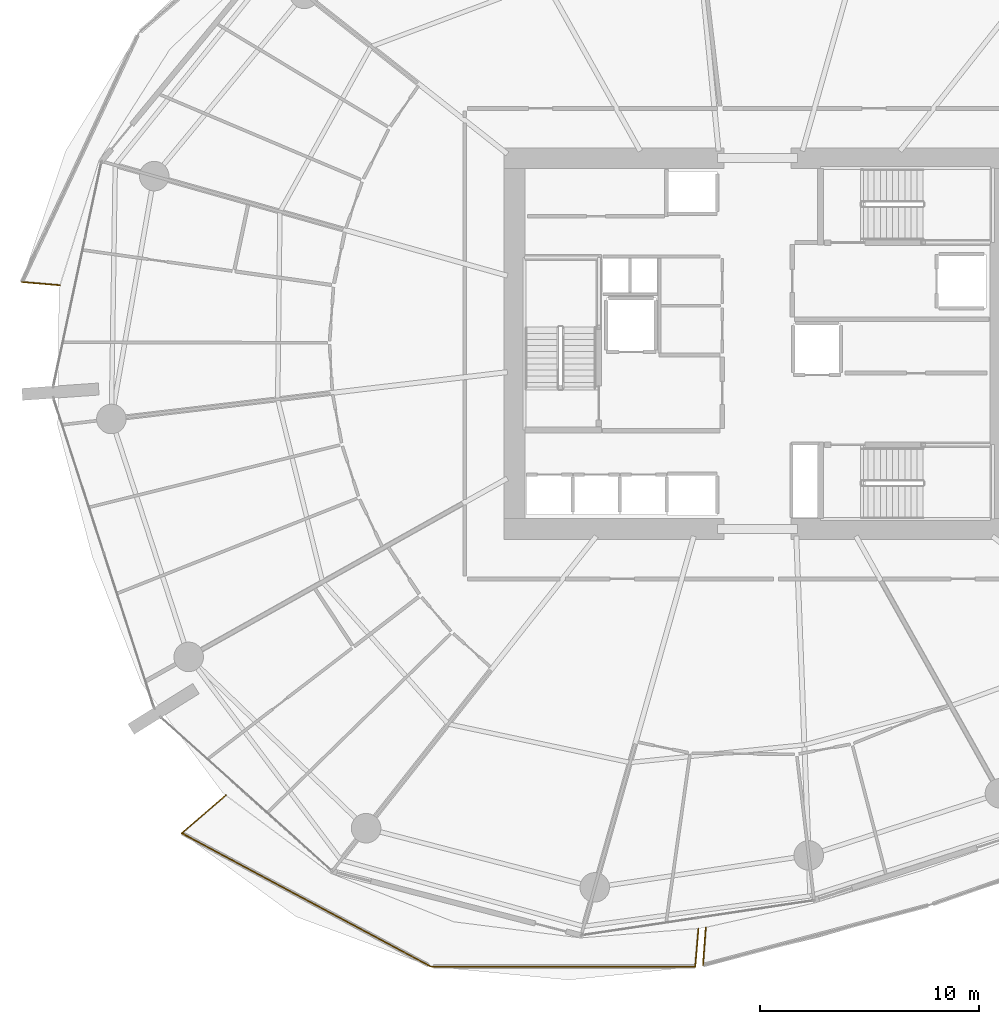
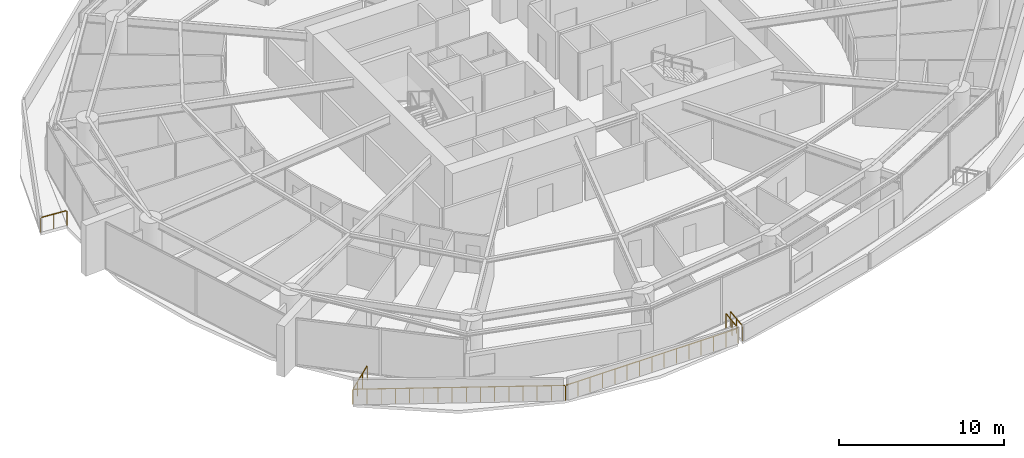
# One storey, part 25 of 31: 6 railings.
"""IFC4 building model written with IfcOpenShell, lengths in metres."""

from ifc_helpers import new_model, si_unit, direction, frame, origin, origin_2d, place, context, subcontext, project, spatial, rectangle, extrude, material, type_object, element, save


model = new_model("IFC4")

# Units and contexts
model_context = context("Model", 3, precision=1e-05, world=origin(), true_north=direction((0.0, 1.0)))
body_context = subcontext(model_context, "Body", "Model", "MODEL_VIEW")
ifc_project = project(units=[si_unit("LENGTHUNIT", "METRE"), si_unit("AREAUNIT", "SQUARE_METRE"), si_unit("VOLUMEUNIT", "CUBIC_METRE"), si_unit("PLANEANGLEUNIT", "RADIAN"), si_unit("MASSUNIT", "GRAM", prefix="KILO")], contexts=[model_context])

# Site, building, storey
site_placement = place(None, origin())
site = spatial("IfcSite", under=ifc_project, at=site_placement, CompositionType="ELEMENT")
building_placement = place(site_placement, origin())
building = spatial("IfcBuilding", under=site, at=building_placement, Name="Kazma Halo Residences", CompositionType="ELEMENT")
storey_placement = place(building_placement, frame((0.0, 0.0, 60.14990234375)))
storey = spatial("IfcBuildingStorey", under=building, at=storey_placement, Name="L14", CompositionType="ELEMENT", Elevation=60.14990234375)

# Railings
ifc_material = material(Name="Aluminium AW-6063 T6 Brushed Cap Rail", Category="aluminium")
railing_type = type_object("IfcRailingType", Name="RLG-BAL-CAP-1120", PredefinedType="BALUSTRADE", material=ifc_material)
railing_1_placement = place(storey_placement, frame((14.80810546875, 44.81640625, 0.0)))
element("IfcRailing", 1, at=railing_1_placement, inside=storey, type_object=railing_type, Name="L14 NW wave balcony guard 4", PredefinedType="BALUSTRADE", context=body_context, shape_type="SweptSolid", body=[
    extrude(rectangle(XDim=0.050048828125, YDim=0.050048828125, at=origin_2d()), frame((0.04248046875, -0.003662109375, 1.09521484375), z_axis=(0.996421327886, -0.084525365027, 0.0), x_axis=(0.084525365027, 0.996421327886, 0.0)), (0.0, 0.0, 1.0), 1.662353515625),
    extrude(rectangle(XDim=0.0400390625, YDim=0.0400390625, at=origin_2d()), origin(), (0.0, 0.0, 1.0), 1.05810546875),
    extrude(rectangle(XDim=0.0400390625, YDim=0.0400390625, at=origin_2d()), frame((0.87060546875, -0.07373046875, 0.0)), (0.0, 0.0, 1.0), 1.05810546875),
    extrude(rectangle(XDim=0.0400390625, YDim=0.0400390625, at=origin_2d()), frame((1.7412109375, -0.147705078125, 0.0)), (0.0, 0.0, 1.0), 1.05810546875),
])
railing_2_placement = place(storey_placement, frame((24.124267578125, 21.354736328125, 0.0)))
element("IfcRailing", 2, at=railing_2_placement, inside=storey, type_object=railing_type, Name="L14 SW wave balcony guard 1", PredefinedType="BALUSTRADE", context=body_context, shape_type="SweptSolid", body=[
    extrude(rectangle(XDim=0.050048828125, YDim=0.050048828125, at=origin_2d()), frame((-0.0322265625, -0.02783203125, 1.09521484375), z_axis=(-0.756365644191, -0.654149074973, 0.0), x_axis=(0.654149074973, -0.756365644191, 0.0)), (0.0, 0.0, 1.0), 2.556640625),
    extrude(rectangle(XDim=0.0400390625, YDim=0.0400390625, at=origin_2d()), origin(), (0.0, 0.0, 1.0), 1.05810546875),
    extrude(rectangle(XDim=0.0400390625, YDim=0.0400390625, at=origin_2d()), frame((-0.666015625, -0.575927734375, 0.0)), (0.0, 0.0, 1.0), 1.05810546875),
    extrude(rectangle(XDim=0.0400390625, YDim=0.0400390625, at=origin_2d()), frame((-1.33203125, -1.152099609375, 0.0)), (0.0, 0.0, 1.0), 1.05810546875),
    extrude(rectangle(XDim=0.0400390625, YDim=0.0400390625, at=origin_2d()), frame((-1.998046875, -1.72802734375, 0.0)), (0.0, 0.0, 1.0), 1.05810546875),
])
railing_3_placement = place(storey_placement, frame((22.126220703125, 19.626708984375, 0.0)))
element("IfcRailing", 3, at=railing_3_placement, inside=storey, type_object=railing_type, Name="L14 SW wave balcony guard 2", PredefinedType="BALUSTRADE", context=body_context, shape_type="SweptSolid", body=[
    extrude(rectangle(XDim=0.050048828125, YDim=0.050048828125, at=origin_2d()), frame((0.03759765625, -0.02001953125, 1.09521484375), z_axis=(0.881390761271, -0.472387897755, 0.0), x_axis=(0.472387897755, 0.881390761271, 0.0)), (0.0, 0.0, 1.0), 12.814208984375),
    extrude(rectangle(XDim=0.0400390625, YDim=0.0400390625, at=origin_2d()), origin(), (0.0, 0.0, 1.0), 1.05810546875),
    extrude(rectangle(XDim=0.0400390625, YDim=0.0400390625, at=origin_2d()), frame((0.758056640625, -0.40625, 0.0)), (0.0, 0.0, 1.0), 1.05810546875),
    extrude(rectangle(XDim=0.0400390625, YDim=0.0400390625, at=origin_2d()), frame((1.515869140625, -0.8125, 0.0)), (0.0, 0.0, 1.0), 1.05810546875),
    extrude(rectangle(XDim=0.0400390625, YDim=0.0400390625, at=origin_2d()), frame((2.27392578125, -1.21875, 0.0)), (0.0, 0.0, 1.0), 1.05810546875),
    extrude(rectangle(XDim=0.0400390625, YDim=0.0400390625, at=origin_2d()), frame((3.03173828125, -1.625, 0.0)), (0.0, 0.0, 1.0), 1.05810546875),
    extrude(rectangle(XDim=0.0400390625, YDim=0.0400390625, at=origin_2d()), frame((3.789794921875, -2.03125, 0.0)), (0.0, 0.0, 1.0), 1.05810546875),
    extrude(rectangle(XDim=0.0400390625, YDim=0.0400390625, at=origin_2d()), frame((4.5478515625, -2.4375, 0.0)), (0.0, 0.0, 1.0), 1.05810546875),
    extrude(rectangle(XDim=0.0400390625, YDim=0.0400390625, at=origin_2d()), frame((5.3056640625, -2.84375, 0.0)), (0.0, 0.0, 1.0), 1.05810546875),
    extrude(rectangle(XDim=0.0400390625, YDim=0.0400390625, at=origin_2d()), frame((6.063720703125, -3.249755859375, 0.0)), (0.0, 0.0, 1.0), 1.05810546875),
    extrude(rectangle(XDim=0.0400390625, YDim=0.0400390625, at=origin_2d()), frame((6.821533203125, -3.656005859375, 0.0)), (0.0, 0.0, 1.0), 1.05810546875),
    extrude(rectangle(XDim=0.0400390625, YDim=0.0400390625, at=origin_2d()), frame((7.57958984375, -4.062255859375, 0.0)), (0.0, 0.0, 1.0), 1.05810546875),
    extrude(rectangle(XDim=0.0400390625, YDim=0.0400390625, at=origin_2d()), frame((8.337646484375, -4.468505859375, 0.0)), (0.0, 0.0, 1.0), 1.05810546875),
    extrude(rectangle(XDim=0.0400390625, YDim=0.0400390625, at=origin_2d()), frame((9.095458984375, -4.874755859375, 0.0)), (0.0, 0.0, 1.0), 1.05810546875),
    extrude(rectangle(XDim=0.0400390625, YDim=0.0400390625, at=origin_2d()), frame((9.853515625, -5.281005859375, 0.0)), (0.0, 0.0, 1.0), 1.05810546875),
    extrude(rectangle(XDim=0.0400390625, YDim=0.0400390625, at=origin_2d()), frame((10.611328125, -5.687255859375, 0.0)), (0.0, 0.0, 1.0), 1.05810546875),
    extrude(rectangle(XDim=0.0400390625, YDim=0.0400390625, at=origin_2d()), frame((11.369384765625, -6.093505859375, 0.0)), (0.0, 0.0, 1.0), 1.05810546875),
])
railing_4_placement = place(storey_placement, frame((33.49560546875, 13.533203125, 0.0)))
element("IfcRailing", 4, at=railing_4_placement, inside=storey, type_object=railing_type, Name="L14 SW wave balcony guard 3", PredefinedType="BALUSTRADE", context=body_context, shape_type="SweptSolid", body=[
    extrude(rectangle(XDim=0.050048828125, YDim=0.050048828125, at=origin_2d()), frame((0.04248046875, 0.0, 1.09521484375), z_axis=(0.999999862133, -0.000525103939, 0.0), x_axis=(0.000525103939, 0.999999862133, 0.0)), (0.0, 0.0, 1.0), 12.00341796875),
    extrude(rectangle(XDim=0.0400390625, YDim=0.0400390625, at=origin_2d()), origin(), (0.0, 0.0, 1.0), 1.05810546875),
    extrude(rectangle(XDim=0.0400390625, YDim=0.0400390625, at=origin_2d()), frame((0.863525390625, -0.00048828125, 0.0)), (0.0, 0.0, 1.0), 1.05810546875),
    extrude(rectangle(XDim=0.0400390625, YDim=0.0400390625, at=origin_2d()), frame((1.726806640625, -0.0009765625, 0.0)), (0.0, 0.0, 1.0), 1.05810546875),
    extrude(rectangle(XDim=0.0400390625, YDim=0.0400390625, at=origin_2d()), frame((2.59033203125, -0.00146484375, 0.0)), (0.0, 0.0, 1.0), 1.05810546875),
    extrude(rectangle(XDim=0.0400390625, YDim=0.0400390625, at=origin_2d()), frame((3.453857421875, -0.001708984375, 0.0)), (0.0, 0.0, 1.0), 1.05810546875),
    extrude(rectangle(XDim=0.0400390625, YDim=0.0400390625, at=origin_2d()), frame((4.3173828125, -0.002197265625, 0.0)), (0.0, 0.0, 1.0), 1.05810546875),
    extrude(rectangle(XDim=0.0400390625, YDim=0.0400390625, at=origin_2d()), frame((5.1806640625, -0.002685546875, 0.0)), (0.0, 0.0, 1.0), 1.05810546875),
    extrude(rectangle(XDim=0.0400390625, YDim=0.0400390625, at=origin_2d()), frame((6.044189453125, -0.003173828125, 0.0)), (0.0, 0.0, 1.0), 1.05810546875),
    extrude(rectangle(XDim=0.0400390625, YDim=0.0400390625, at=origin_2d()), frame((6.90771484375, -0.003662109375, 0.0)), (0.0, 0.0, 1.0), 1.05810546875),
    extrude(rectangle(XDim=0.0400390625, YDim=0.0400390625, at=origin_2d()), frame((7.77099609375, -0.004150390625, 0.0)), (0.0, 0.0, 1.0), 1.05810546875),
    extrude(rectangle(XDim=0.0400390625, YDim=0.0400390625, at=origin_2d()), frame((8.634521484375, -0.004638671875, 0.0)), (0.0, 0.0, 1.0), 1.05810546875),
    extrude(rectangle(XDim=0.0400390625, YDim=0.0400390625, at=origin_2d()), frame((9.498046875, -0.0048828125, 0.0)), (0.0, 0.0, 1.0), 1.05810546875),
    extrude(rectangle(XDim=0.0400390625, YDim=0.0400390625, at=origin_2d()), frame((10.361572265625, -0.00537109375, 0.0)), (0.0, 0.0, 1.0), 1.05810546875),
    extrude(rectangle(XDim=0.0400390625, YDim=0.0400390625, at=origin_2d()), frame((11.224853515625, -0.005859375, 0.0)), (0.0, 0.0, 1.0), 1.05810546875),
    extrude(rectangle(XDim=0.0400390625, YDim=0.0400390625, at=origin_2d()), frame((12.08837890625, -0.00634765625, 0.0)), (0.0, 0.0, 1.0), 1.05810546875),
])
railing_5_placement = place(storey_placement, frame((45.583984375, 13.52685546875, 0.0)))
element("IfcRailing", 5, at=railing_5_placement, inside=storey, type_object=railing_type, Name="L14 SW wave balcony guard 4", PredefinedType="BALUSTRADE", context=body_context, shape_type="SweptSolid", body=[
    extrude(rectangle(XDim=0.050048828125, YDim=0.050048828125, at=origin_2d()), frame((0.003662109375, 0.04248046875, 1.09521484375), z_axis=(0.084558134687, 0.996418547528, 0.0), x_axis=(-0.996418547528, 0.084558134687, 0.0)), (0.0, 0.0, 1.0), 1.66455078125),
    extrude(rectangle(XDim=0.0400390625, YDim=0.0400390625, at=origin_2d()), origin(), (0.0, 0.0, 1.0), 1.05810546875),
    extrude(rectangle(XDim=0.0400390625, YDim=0.0400390625, at=origin_2d()), frame((0.073974609375, 0.87158203125, 0.0)), (0.0, 0.0, 1.0), 1.05810546875),
    extrude(rectangle(XDim=0.0400390625, YDim=0.0400390625, at=origin_2d()), frame((0.14794921875, 1.743408203125, 0.0)), (0.0, 0.0, 1.0), 1.05810546875),
])
railing_6_placement = place(storey_placement, frame((46.064208984375, 15.320068359375, 0.0)))
element("IfcRailing", 6, at=railing_6_placement, inside=storey, type_object=railing_type, Name="L14 SSE wave balcony guard 1", PredefinedType="BALUSTRADE", context=body_context, shape_type="SweptSolid", body=[
    extrude(rectangle(XDim=0.050048828125, YDim=0.050048828125, at=origin_2d()), frame((-0.003173828125, -0.04248046875, 1.09521484375), z_axis=(-0.072349491269, -0.997379341631, 0.0), x_axis=(0.997379341631, -0.072349491269, 0.0)), (0.0, 0.0, 1.0), 1.64599609375),
    extrude(rectangle(XDim=0.0400390625, YDim=0.0400390625, at=origin_2d()), origin(), (0.0, 0.0, 1.0), 1.05810546875),
    extrude(rectangle(XDim=0.0400390625, YDim=0.0400390625, at=origin_2d()), frame((-0.0625, -0.86328125, 0.0)), (0.0, 0.0, 1.0), 1.05810546875),
    extrude(rectangle(XDim=0.0400390625, YDim=0.0400390625, at=origin_2d()), frame((-0.125244140625, -1.7265625, 0.0)), (0.0, 0.0, 1.0), 1.05810546875),
])

save(model, "model.ifc")
